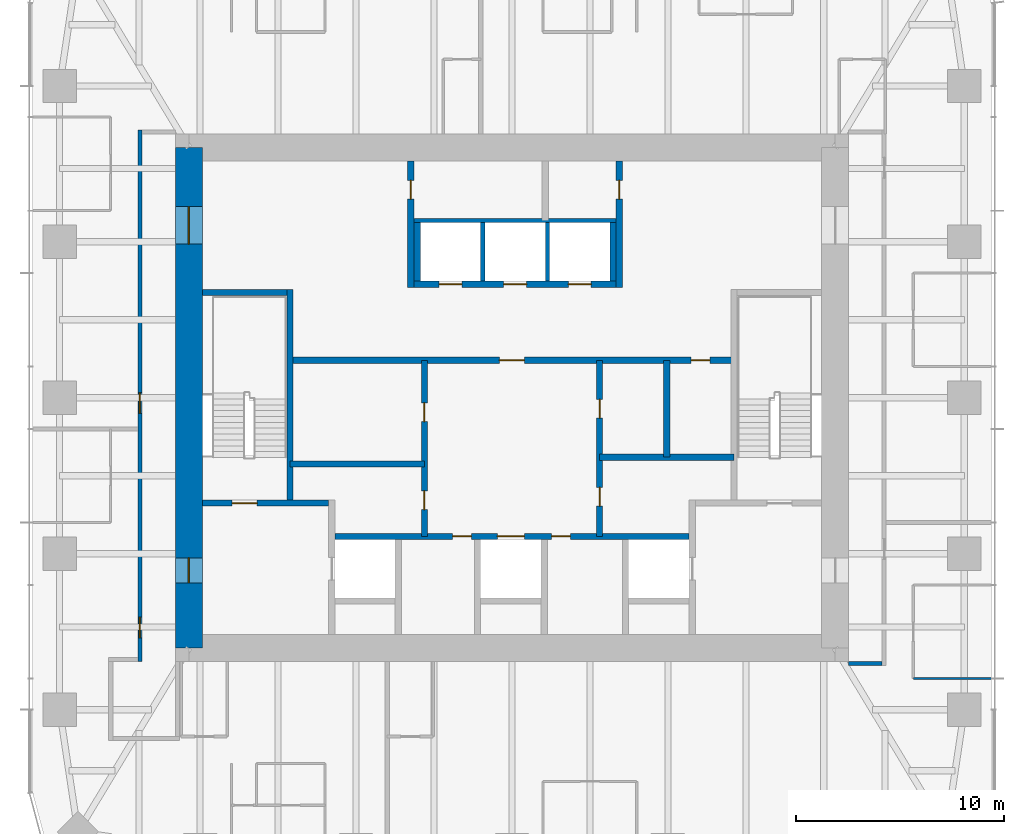
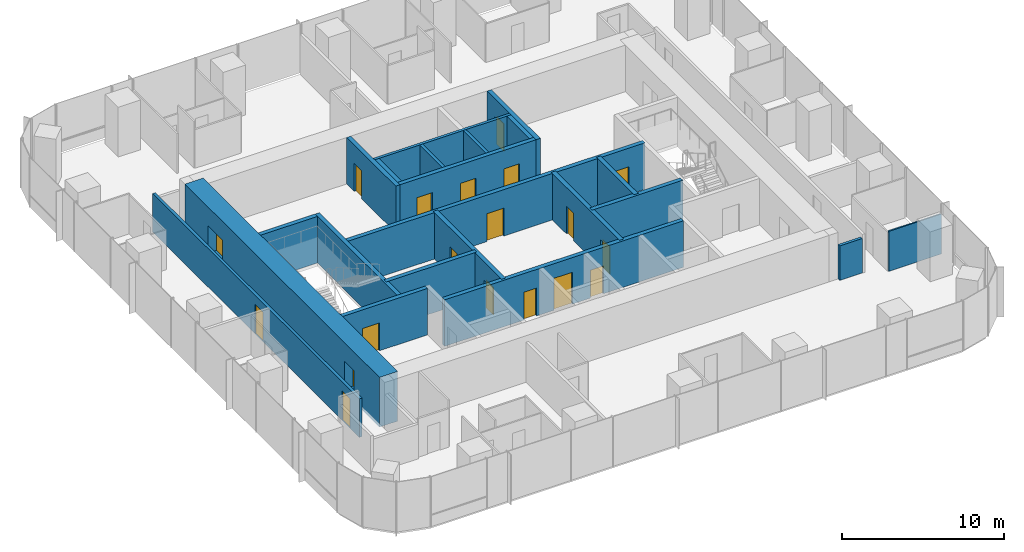
# One storey, part 9 of 12: 22 walls, 19 doors, 19 openings.
"""IFC4 building model written with IfcOpenShell, lengths in metres."""

import ifcopenshell
import ifcopenshell.guid

model = None  # the IFC model being written
_history = None  # IfcOwnerHistory: only IFC2X3 demands one
_inside = {}  # id of a spatial element -> (the spatial element, [elements in it])
_under = {}  # id of a project, library or spatial element -> (it, [spatial elements below it])
_declared = {}  # id of a project -> (the project, [libraries it declares])
_typed = {}  # id of a type object -> (the type object, [elements of that type])
_made_of = {}  # id of a material, layer set ... -> (it, [elements and type objects made of it])


def new_model(schema):
    """Start an empty IFC model of exactly this schema.

    Asked for "IFC4X3", IfcOpenShell would pick the latest addendum, in which some entities
    have other attributes; the version numbers below select the first issue.
    IFC2X3 requires an IfcOwnerHistory on every rooted entity: one is made here for all.
    """
    global model, _history
    if schema == "IFC4X3":
        model = ifcopenshell.file(schema_version=(4, 3, 0, 0))
    else:
        model = ifcopenshell.file(schema=schema)
    _inside.clear()
    _under.clear()
    _declared.clear()
    _typed.clear()
    _made_of.clear()
    _history = None
    if model.schema == "IFC2X3":
        org = make("IfcOrganization", Name="unknown")
        user = make(
            "IfcPersonAndOrganization",
            ThePerson=make("IfcPerson", FamilyName="unknown"),
            TheOrganization=org,
        )
        app = make(
            "IfcApplication",
            ApplicationDeveloper=org,
            Version="unknown",
            ApplicationFullName="unknown",
            ApplicationIdentifier="unknown",
        )
        _history = make(
            "IfcOwnerHistory",
            OwningUser=user,
            OwningApplication=app,
            ChangeAction="ADDED",
            CreationDate=0,
        )
    return model


def make(cls, **values):
    """One entity of the class cls with the attributes given. An attribute that is None is left unset."""
    return model.create_entity(
        cls, **{name: value for name, value in values.items() if value is not None}
    )


def rooted(cls, **values):
    """An entity with a GlobalId (a new one), such as an element, a storey or a relation."""
    return make(cls, GlobalId=ifcopenshell.guid.new(), OwnerHistory=_history, **values)


def si_unit(unit_type, name, prefix=None):
    """IfcSIUnit, for example si_unit("LENGTHUNIT", "METRE", prefix="MILLI")."""
    return make("IfcSIUnit", UnitType=unit_type, Prefix=prefix, Name=name)


def assignment(units):
    """IfcUnitAssignment: the units of a project."""
    return None if units is None else make("IfcUnitAssignment", Units=units)


def point(xyz):
    """IfcCartesianPoint."""
    return None if xyz is None else make("IfcCartesianPoint", Coordinates=xyz)


def direction(xyz):
    """IfcDirection."""
    return None if xyz is None else make("IfcDirection", DirectionRatios=xyz)


def frame(location, z_axis=None, x_axis=None):
    """IfcAxis2Placement3D, a coordinate frame: its origin and axes. An axis left out is left unset."""
    return make(
        "IfcAxis2Placement3D",
        Location=point(location),
        Axis=direction(z_axis),
        RefDirection=direction(x_axis),
    )


def frame_2d(location, x_axis=None):
    """IfcAxis2Placement2D, a coordinate frame in the plane: its origin and x axis."""
    return make(
        "IfcAxis2Placement2D", Location=point(location), RefDirection=direction(x_axis)
    )


def origin():
    """The frame at (0, 0, 0) with its axes left unset."""
    return frame((0.0, 0.0, 0.0))


def place(relative_to, where):
    """IfcLocalPlacement: puts the frame where relative to a parent placement (None: the world)."""
    return make(
        "IfcLocalPlacement", PlacementRelTo=relative_to, RelativePlacement=where
    )


def context(
    kind, dimensions, precision=None, world=None, true_north=None, identifier=None
):
    """IfcGeometricRepresentationContext, for example the 3D "Model" context."""
    return make(
        "IfcGeometricRepresentationContext",
        ContextIdentifier=identifier,
        ContextType=kind,
        CoordinateSpaceDimension=dimensions,
        Precision=precision,
        WorldCoordinateSystem=world,
        TrueNorth=true_north,
    )


def subcontext(parent, identifier, kind, view, scale=None):
    """IfcGeometricRepresentationSubContext, for example "Body" below "Model"."""
    return make(
        "IfcGeometricRepresentationSubContext",
        ContextIdentifier=identifier,
        ContextType=kind,
        ParentContext=parent,
        TargetScale=scale,
        TargetView=view,
    )


def project(units=None, contexts=None):
    """IfcProject with its units and contexts."""
    return rooted(
        "IfcProject",
        Name="project",
        RepresentationContexts=contexts,
        UnitsInContext=assignment(units),
    )


def spatial(cls, under=None, at=None, **own):
    """A site, building, storey or space (cls), placed at a placement, below another one or the project."""
    s = rooted(cls, ObjectPlacement=at, **own)
    if under is not None:
        _under.setdefault(under.id(), (under, []))[1].append(s)
    return s


def profile(cls, at=None, kind="AREA", **sizes):
    """A parametric profile (cls). Its sizes go by their IFC names, for example OverallWidth=200.0."""
    return make(cls, ProfileType=kind, Position=at, **sizes)


def rectangle(**sizes):
    """IfcRectangleProfileDef."""
    return profile("IfcRectangleProfileDef", **sizes)


def extrude(swept, where, along, depth):
    """IfcExtrudedAreaSolid: the profile swept, set in the frame where, extruded along a direction by depth."""
    return make(
        "IfcExtrudedAreaSolid",
        SweptArea=swept,
        Position=where,
        ExtrudedDirection=direction(along),
        Depth=depth,
    )


def shape(context_of_items, identifier, shape_type, items):
    """IfcShapeRepresentation: the items that make up one representation, for example the "Body"."""
    return make(
        "IfcShapeRepresentation",
        ContextOfItems=context_of_items,
        RepresentationIdentifier=identifier,
        RepresentationType=shape_type,
        Items=items,
    )


def material(Name=None, Category=None):
    """IfcMaterial."""
    return make("IfcMaterial", Name=Name, Category=Category)


def layer(
    of_material, thickness, ventilated=None, Name=None, Category=None, Priority=None
):
    """IfcMaterialLayer: one layer of a wall or slab, of a material (None: an air gap)."""
    return make(
        "IfcMaterialLayer",
        Material=of_material,
        LayerThickness=thickness,
        IsVentilated=ventilated,
        Name=Name,
        Category=Category,
        Priority=Priority,
    )


def layer_set(layers, Name=None):
    """IfcMaterialLayerSet."""
    return make("IfcMaterialLayerSet", MaterialLayers=layers, LayerSetName=Name)


def made_of(thing, what):
    """Note that an element or type object is made of a material, layer set ...; save() writes the relation."""
    if what is not None:
        _made_of.setdefault(what.id(), (what, []))[1].append(thing)
    return thing


def type_object(cls, material=None, **own):
    """A type object (cls), such as IfcWallType, which elements share."""
    return made_of(rooted(cls, **own), material)


def element(
    cls,
    number,
    at=None,
    inside=None,
    cuts=None,
    type_object=None,
    material=None,
    context=None,
    identifier="Body",
    shape_type=None,
    held_by="IfcProductDefinitionShape",
    body=None,
    shapes=None,
    **own,
):
    """One element of the class cls, such as IfcWall. Its Tag is "e" and its number.

    at: its placement. inside: the storey or other place that contains it. cuts: it is an
    opening in that element (IfcRelVoidsElement). A single representation is given by context,
    identifier, shape_type and body (its items); several are given by shapes. held_by: the class
    of the entity that holds the representations. save() writes the other relations.
    """
    e = rooted(cls, Tag="e%d" % number, ObjectPlacement=at, **own)
    if body is not None:
        shapes = [shape(context, identifier, shape_type, body)]
    if shapes is not None:
        e.Representation = make(held_by, Representations=shapes)
    if inside is not None:
        _inside.setdefault(inside.id(), (inside, []))[1].append(e)
    if cuts is not None:
        rooted(
            "IfcRelVoidsElement", RelatingBuildingElement=cuts, RelatedOpeningElement=e
        )
    if type_object is not None:
        _typed.setdefault(type_object.id(), (type_object, []))[1].append(e)
    return made_of(e, material)


def fill(opening, filler):
    """IfcRelFillsElement: the door or window that sits in an opening."""
    return rooted(
        "IfcRelFillsElement",
        RelatingOpeningElement=opening,
        RelatedBuildingElement=filler,
    )


def aggregate(whole, parts):
    """IfcRelAggregates: a whole, such as a stair, and the parts it consists of."""
    return rooted("IfcRelAggregates", RelatingObject=whole, RelatedObjects=parts)


def save(model, path):
    """Write the relations noted so far, then the file.

    IfcRelAggregates (storeys below a building ...), IfcRelContainedInSpatialStructure (elements
    in a storey), IfcRelDefinesByType, IfcRelAssociatesMaterial and IfcRelDeclares: one each for
    every whole, place, type object, material and project.
    """
    for whole, parts in _under.values():
        aggregate(whole, parts)
    for where, things in _inside.values():
        rooted(
            "IfcRelContainedInSpatialStructure",
            RelatedElements=things,
            RelatingStructure=where,
        )
    for kind, things in _typed.values():
        rooted("IfcRelDefinesByType", RelatedObjects=things, RelatingType=kind)
    for what, things in _made_of.values():
        rooted("IfcRelAssociatesMaterial", RelatedObjects=things, RelatingMaterial=what)
    for by, libraries in _declared.values():
        rooted("IfcRelDeclares", RelatingContext=by, RelatedDefinitions=libraries)
    model.write(path)


model = new_model("IFC4")

# Units and contexts
model_context = context("Model", 3, precision=1e-05, world=origin(), true_north=direction((0.0, 1.0)))
body_context = subcontext(model_context, "Body", "Model", "MODEL_VIEW")
ifc_project = project(units=[si_unit("LENGTHUNIT", "METRE"), si_unit("AREAUNIT", "SQUARE_METRE"), si_unit("VOLUMEUNIT", "CUBIC_METRE"), si_unit("PLANEANGLEUNIT", "RADIAN"), si_unit("MASSUNIT", "GRAM", prefix="KILO")], contexts=[model_context])

# Site, building, storey
site_placement = place(None, origin())
site = spatial("IfcSite", under=ifc_project, at=site_placement, CompositionType="ELEMENT")
building_placement = place(site_placement, origin())
building = spatial("IfcBuilding", under=site, at=building_placement, Name="Khuree Lantern Residences", CompositionType="ELEMENT")
storey_placement = place(building_placement, frame((0.0, 0.0, 338.25)))
storey = spatial("IfcBuildingStorey", under=building, at=storey_placement, Name="L85", CompositionType="ELEMENT", Elevation=338.25)

# Wall, openings, doors
ifc_material_1 = material(Name="Dense concrete blockwork", Category="masonry")
ifc_layer_1 = layer(ifc_material_1, 0.300048828125)
ifc_layer_set_1 = layer_set([ifc_layer_1], Name="CORE PARTITION WALL CPW300 EI 120")
wall_type_1 = type_object("IfcWallType", Name="CORE PARTITION WALL CPW300 EI 120", PredefinedType="PARTITIONING", material=ifc_layer_set_1)
wall_1_placement = place(storey_placement, frame((-8.5, -6.64990234375, 0.0), z_axis=(0.0, 0.0, 1.0), x_axis=(1.0, 0.0, 0.0)))
wall_1 = element("IfcWall", 1, at=wall_1_placement, inside=storey, type_object=wall_type_1, Name="L85 CORE WALL FLROW", PredefinedType="PARTITIONING", context=body_context, shape_type="SweptSolid", body=[
    extrude(rectangle(XDim=17.0, YDim=0.300048828125, at=frame_2d((8.5, 0.0))), origin(), (0.0, 0.0, 1.0), 3.5),
])
opening_1_placement = place(wall_1_placement, frame((7.800048828125, 0.0, 0.0)))
opening_1 = element("IfcOpeningElement", 2, at=opening_1_placement, cuts=wall_1, Name="Opening 85-012", PredefinedType="OPENING", context=body_context, shape_type="SweptSolid", body=[
    extrude(rectangle(XDim=1.300048828125, YDim=2.39990234375, at=frame_2d((0.64990234375, 1.199951171875))), frame((0.0, 0.16015625, 0.0), z_axis=(0.0, -1.0, 0.0), x_axis=(1.0, 0.0, 0.0)), (0.0, 0.0, 1.0), 0.320068359375),
])
opening_2_placement = place(wall_1_placement, frame((5.64990234375, 0.0, 0.0)))
opening_2 = element("IfcOpeningElement", 3, at=opening_2_placement, cuts=wall_1, Name="Opening 85-014", PredefinedType="OPENING", context=body_context, shape_type="SweptSolid", body=[
    extrude(rectangle(XDim=0.89990234375, YDim=2.10009765625, at=frame_2d((0.449951171875, 1.050048828125))), frame((0.0, 0.16015625, 0.0), z_axis=(0.0, -1.0, 0.0), x_axis=(1.0, 0.0, 0.0)), (0.0, 0.0, 1.0), 0.320068359375),
])
opening_3_placement = place(wall_1_placement, frame((10.39990234375, 0.0, 0.0)))
opening_3 = element("IfcOpeningElement", 4, at=opening_3_placement, cuts=wall_1, Name="Opening 85-015", PredefinedType="OPENING", context=body_context, shape_type="SweptSolid", body=[
    extrude(rectangle(XDim=0.89990234375, YDim=2.10009765625, at=frame_2d((0.449951171875, 1.050048828125))), frame((0.0, 0.16015625, 0.0), z_axis=(0.0, -1.0, 0.0), x_axis=(1.0, 0.0, 0.0)), (0.0, 0.0, 1.0), 0.320068359375),
])
ifc_material_2 = material(Name="Steel door leaf in steel frame", Category="steel")
door_type_1 = type_object("IfcDoorType", Name="DOOR 900X2100 EI 60", OperationType="SINGLE_SWING_LEFT", PredefinedType="DOOR", material=ifc_material_2)
door_1_placement = place(opening_2_placement, origin())
door_1 = element("IfcDoor", 5, at=door_1_placement, inside=storey, type_object=door_type_1, Name="Refuse chute room door 85-014", OperationType="SINGLE_SWING_LEFT", OverallHeight=2.10009765625, OverallWidth=0.89990234375, PredefinedType="DOOR", context=body_context, shape_type="SweptSolid", body=[
    extrude(rectangle(XDim=0.89990234375, YDim=2.10009765625, at=frame_2d((0.449951171875, 1.050048828125))), frame((0.0, 0.02490234375, 0.0), z_axis=(0.0, -1.0, 0.0), x_axis=(1.0, 0.0, 0.0)), (0.0, 0.0, 1.0), 0.050048828125),
])
fill(opening_2, door_1)
door_type_2 = type_object("IfcDoorType", Name="DOOR 900X2100 EI 60 RIGHT HAND", OperationType="SINGLE_SWING_RIGHT", PredefinedType="DOOR", material=ifc_material_2)
door_2_placement = place(opening_3_placement, origin())
door_2 = element("IfcDoor", 6, at=door_2_placement, inside=storey, type_object=door_type_2, Name="Electrical and plumbing riser door 85-015", OperationType="SINGLE_SWING_RIGHT", OverallHeight=2.10009765625, OverallWidth=0.89990234375, PredefinedType="DOOR", context=body_context, shape_type="SweptSolid", body=[
    extrude(rectangle(XDim=0.89990234375, YDim=2.10009765625, at=frame_2d((0.449951171875, 1.050048828125))), frame((0.0, 0.02490234375, 0.0), z_axis=(0.0, -1.0, 0.0), x_axis=(1.0, 0.0, 0.0)), (0.0, 0.0, 1.0), 0.050048828125),
])
fill(opening_3, door_2)
ifc_material_3 = material(Name="Stainless steel lift landing door", Category="steel")
door_type_3 = type_object("IfcDoorType", Name="LIFT LANDING DOOR 1300X2400 E 60", OperationType="DOUBLE_DOOR_SLIDING", PredefinedType="DOOR", material=ifc_material_3)
door_3_placement = place(opening_1_placement, origin())
door_3 = element("IfcDoor", 7, at=door_3_placement, inside=storey, type_object=door_type_3, Name="Landing door SL1 85-012", OperationType="DOUBLE_DOOR_SLIDING", OverallHeight=2.39990234375, OverallWidth=1.300048828125, PredefinedType="DOOR", context=body_context, shape_type="SweptSolid", body=[
    extrude(rectangle(XDim=1.300048828125, YDim=2.39990234375, at=frame_2d((0.64990234375, 1.199951171875))), frame((0.0, 0.02490234375, 0.0), z_axis=(0.0, -1.0, 0.0), x_axis=(1.0, 0.0, 0.0)), (0.0, 0.0, 1.0), 0.050048828125),
])
fill(opening_1, door_3)

wall_2_placement = place(storey_placement, frame((-4.699951171875, 5.449951171875, 0.0), z_axis=(0.0, 0.0, 1.0), x_axis=(1.0, 0.0, 0.0)))
wall_2 = element("IfcWall", 8, at=wall_2_placement, inside=storey, type_object=wall_type_1, Name="L85 CORE WALL PHS", PredefinedType="PARTITIONING", context=body_context, shape_type="SweptSolid", body=[
    extrude(rectangle(XDim=9.699951171875, YDim=0.300048828125, at=frame_2d((4.85009765625, 0.0))), origin(), (0.0, 0.0, 1.0), 3.5),
])
opening_4_placement = place(wall_2_placement, frame((1.199951171875, 0.0, 0.0)))
opening_4 = element("IfcOpeningElement", 9, at=opening_4_placement, cuts=wall_2, Name="Opening 85-009", PredefinedType="OPENING", context=body_context, shape_type="SweptSolid", body=[
    extrude(rectangle(XDim=1.10009765625, YDim=2.10009765625, at=frame_2d((0.550048828125, 1.050048828125))), frame((0.0, 0.16015625, 0.0), z_axis=(0.0, -1.0, 0.0), x_axis=(1.0, 0.0, 0.0)), (0.0, 0.0, 1.0), 0.320068359375),
])
opening_5_placement = place(wall_2_placement, frame((4.300048828125, 0.0, 0.0)))
opening_5 = element("IfcOpeningElement", 10, at=opening_5_placement, cuts=wall_2, Name="Opening 85-010", PredefinedType="OPENING", context=body_context, shape_type="SweptSolid", body=[
    extrude(rectangle(XDim=1.10009765625, YDim=2.10009765625, at=frame_2d((0.550048828125, 1.050048828125))), frame((0.0, 0.16015625, 0.0), z_axis=(0.0, -1.0, 0.0), x_axis=(1.0, 0.0, 0.0)), (0.0, 0.0, 1.0), 0.320068359375),
])
opening_6_placement = place(wall_2_placement, frame((7.39990234375, 0.0, 0.0)))
opening_6 = element("IfcOpeningElement", 11, at=opening_6_placement, cuts=wall_2, Name="Opening 85-011", PredefinedType="OPENING", context=body_context, shape_type="SweptSolid", body=[
    extrude(rectangle(XDim=1.10009765625, YDim=2.10009765625, at=frame_2d((0.550048828125, 1.050048828125))), frame((0.0, 0.16015625, 0.0), z_axis=(0.0, -1.0, 0.0), x_axis=(1.0, 0.0, 0.0)), (0.0, 0.0, 1.0), 0.320068359375),
])
door_type_4 = type_object("IfcDoorType", Name="LIFT LANDING DOOR 1100X2100 E 60", OperationType="DOUBLE_DOOR_SLIDING", PredefinedType="DOOR", material=ifc_material_3)
door_4_placement = place(opening_4_placement, origin())
door_4 = element("IfcDoor", 12, at=door_4_placement, inside=storey, type_object=door_type_4, Name="Landing door PH1 85-009", OperationType="DOUBLE_DOOR_SLIDING", OverallHeight=2.10009765625, OverallWidth=1.10009765625, PredefinedType="DOOR", context=body_context, shape_type="SweptSolid", body=[
    extrude(rectangle(XDim=1.10009765625, YDim=2.10009765625, at=frame_2d((0.550048828125, 1.050048828125))), frame((0.0, 0.02490234375, 0.0), z_axis=(0.0, -1.0, 0.0), x_axis=(1.0, 0.0, 0.0)), (0.0, 0.0, 1.0), 0.050048828125),
])
fill(opening_4, door_4)
door_5_placement = place(opening_5_placement, origin())
door_5 = element("IfcDoor", 13, at=door_5_placement, inside=storey, type_object=door_type_4, Name="Landing door PH2 85-010", OperationType="DOUBLE_DOOR_SLIDING", OverallHeight=2.10009765625, OverallWidth=1.10009765625, PredefinedType="DOOR", context=body_context, shape_type="SweptSolid", body=[
    extrude(rectangle(XDim=1.10009765625, YDim=2.10009765625, at=frame_2d((0.550048828125, 1.050048828125))), frame((0.0, 0.02490234375, 0.0), z_axis=(0.0, -1.0, 0.0), x_axis=(1.0, 0.0, 0.0)), (0.0, 0.0, 1.0), 0.050048828125),
])
fill(opening_5, door_5)
door_6_placement = place(opening_6_placement, origin())
door_6 = element("IfcDoor", 14, at=door_6_placement, inside=storey, type_object=door_type_4, Name="Landing door PH3 85-011", OperationType="DOUBLE_DOOR_SLIDING", OverallHeight=2.10009765625, OverallWidth=1.10009765625, PredefinedType="DOOR", context=body_context, shape_type="SweptSolid", body=[
    extrude(rectangle(XDim=1.10009765625, YDim=2.10009765625, at=frame_2d((0.550048828125, 1.050048828125))), frame((0.0, 0.02490234375, 0.0), z_axis=(0.0, -1.0, 0.0), x_axis=(1.0, 0.0, 0.0)), (0.0, 0.0, 1.0), 0.050048828125),
])
fill(opening_6, door_6)

# Walls
for number, where, z_axis, x_axis, name in (
    (15, (-4.550048828125, 5.60009765625, 0.0), (0.0, 0.0, 1.0), (0.0, 1.0, 0.0), "L85 CORE WALL PHW"),
    (16, (4.85009765625, 5.60009765625, 0.0), (0.0, 0.0, 1.0), (0.0, 1.0, 0.0), "L85 CORE WALL PHE"),
):
    element("IfcWall", number, at=place(storey_placement, frame(where, z_axis=z_axis, x_axis=x_axis)), inside=storey, type_object=wall_type_1, Name=name, PredefinedType="PARTITIONING", context=body_context, shape_type="SweptSolid", body=[
        extrude(rectangle(XDim=2.7998046875, YDim=0.300048828125, at=frame_2d((1.39990234375, 0.0))), origin(), (0.0, 0.0, 1.0), 3.5),
    ])

# Wall, openings, doors
wall_3_placement = place(storey_placement, frame((-10.64990234375, 1.800048828125, 0.0), z_axis=(0.0, 0.0, 1.0), x_axis=(1.0, 0.0, 0.0)))
wall_3 = element("IfcWall", 17, at=wall_3_placement, inside=storey, type_object=wall_type_1, Name="L85 CORE WALL LLS", PredefinedType="PARTITIONING", context=body_context, shape_type="SweptSolid", body=[
    extrude(rectangle(XDim=21.2998046875, YDim=0.300048828125, at=frame_2d((10.64990234375, 0.0))), origin(), (0.0, 0.0, 1.0), 3.5),
])
opening_7_placement = place(wall_3_placement, frame((10.050048828125, 0.0, 0.0)))
opening_7 = element("IfcOpeningElement", 18, at=opening_7_placement, cuts=wall_3, Name="Opening 85-013", PredefinedType="OPENING", context=body_context, shape_type="SweptSolid", body=[
    extrude(rectangle(XDim=1.199951171875, YDim=2.10009765625, at=frame_2d((0.60009765625, 1.050048828125))), frame((0.0, 0.16015625, 0.0), z_axis=(0.0, -1.0, 0.0), x_axis=(1.0, 0.0, 0.0)), (0.0, 0.0, 1.0), 0.320068359375),
])
opening_8_placement = place(wall_3_placement, frame((19.238037109375, 0.0, 0.0)))
opening_8 = element("IfcOpeningElement", 19, at=opening_8_placement, cuts=wall_3, Name="Opening 85-020", PredefinedType="OPENING", context=body_context, shape_type="SweptSolid", body=[
    extrude(rectangle(XDim=0.89990234375, YDim=2.10009765625, at=frame_2d((0.449951171875, 1.050048828125))), frame((0.0, 0.16015625, 0.0), z_axis=(0.0, -1.0, 0.0), x_axis=(1.0, 0.0, 0.0)), (0.0, 0.0, 1.0), 0.320068359375),
])
door_type_5 = type_object("IfcDoorType", Name="DOOR 1200X2100 EI 60", OperationType="SINGLE_SWING_LEFT", PredefinedType="DOOR", material=ifc_material_2)
door_7_placement = place(opening_7_placement, origin())
door_7 = element("IfcDoor", 20, at=door_7_placement, inside=storey, type_object=door_type_5, Name="Service lift lobby door 85-013", OperationType="SINGLE_SWING_LEFT", OverallHeight=2.10009765625, OverallWidth=1.199951171875, PredefinedType="DOOR", context=body_context, shape_type="SweptSolid", body=[
    extrude(rectangle(XDim=1.199951171875, YDim=2.10009765625, at=frame_2d((0.60009765625, 1.050048828125))), frame((0.0, 0.02490234375, 0.0), z_axis=(0.0, -1.0, 0.0), x_axis=(1.0, 0.0, 0.0)), (0.0, 0.0, 1.0), 0.050048828125),
])
fill(opening_7, door_7)
ifc_material_4 = material(Name="Timber door leaf in hardwood frame", Category="wood")
door_type_6 = type_object("IfcDoorType", Name="DOOR 900X2100 RIGHT HAND", OperationType="SINGLE_SWING_RIGHT", PredefinedType="DOOR", material=ifc_material_4)
door_8_placement = place(opening_8_placement, origin())
door_8 = element("IfcDoor", 21, at=door_8_placement, inside=storey, type_object=door_type_6, Name="Refuse holding room door 85-020", OperationType="SINGLE_SWING_RIGHT", OverallHeight=2.10009765625, OverallWidth=0.89990234375, PredefinedType="DOOR", context=body_context, shape_type="SweptSolid", body=[
    extrude(rectangle(XDim=0.89990234375, YDim=2.10009765625, at=frame_2d((0.449951171875, 1.050048828125))), frame((0.0, 0.02490234375, 0.0), z_axis=(0.0, -1.0, 0.0), x_axis=(1.0, 0.0, 0.0)), (0.0, 0.0, 1.0), 0.050048828125),
])
fill(opening_8, door_8)

wall_4_placement = place(storey_placement, frame((-4.199951171875, -6.64990234375, 0.0), z_axis=(0.0, 0.0, 1.0), x_axis=(0.0, 1.0, 0.0)))
wall_4 = element("IfcWall", 22, at=wall_4_placement, inside=storey, type_object=wall_type_1, Name="L85 CORE WALL SVW", PredefinedType="PARTITIONING", context=body_context, shape_type="SweptSolid", body=[
    extrude(rectangle(XDim=8.449951171875, YDim=0.300048828125, at=frame_2d((4.22509765625, 0.0))), origin(), (0.0, 0.0, 1.0), 3.5),
])
opening_9_placement = place(wall_4_placement, frame((1.284912109375, 0.0, 0.0)))
opening_9 = element("IfcOpeningElement", 23, at=opening_9_placement, cuts=wall_4, Name="Opening 85-016", PredefinedType="OPENING", context=body_context, shape_type="SweptSolid", body=[
    extrude(rectangle(XDim=0.89990234375, YDim=2.10009765625, at=frame_2d((0.449951171875, 1.050048828125))), frame((0.0, 0.16015625, 0.0), z_axis=(0.0, -1.0, 0.0), x_axis=(1.0, 0.0, 0.0)), (0.0, 0.0, 1.0), 0.320068359375),
])
opening_10_placement = place(wall_4_placement, frame((5.510009765625, 0.0, 0.0)))
opening_10 = element("IfcOpeningElement", 24, at=opening_10_placement, cuts=wall_4, Name="Opening 85-017", PredefinedType="OPENING", context=body_context, shape_type="SweptSolid", body=[
    extrude(rectangle(XDim=0.89990234375, YDim=2.10009765625, at=frame_2d((0.449951171875, 1.050048828125))), frame((0.0, 0.16015625, 0.0), z_axis=(0.0, -1.0, 0.0), x_axis=(1.0, 0.0, 0.0)), (0.0, 0.0, 1.0), 0.320068359375),
])
door_type_7 = type_object("IfcDoorType", Name="DOOR 900X2100", OperationType="SINGLE_SWING_LEFT", PredefinedType="DOOR", material=ifc_material_4)
door_9_placement = place(opening_9_placement, origin())
door_9 = element("IfcDoor", 25, at=door_9_placement, inside=storey, type_object=door_type_7, Name="Bulky waste store door 85-016", OperationType="SINGLE_SWING_LEFT", OverallHeight=2.10009765625, OverallWidth=0.89990234375, PredefinedType="DOOR", context=body_context, shape_type="SweptSolid", body=[
    extrude(rectangle(XDim=0.89990234375, YDim=2.10009765625, at=frame_2d((0.449951171875, 1.050048828125))), frame((0.0, 0.02490234375, 0.0), z_axis=(0.0, -1.0, 0.0), x_axis=(1.0, 0.0, 0.0)), (0.0, 0.0, 1.0), 0.050048828125),
])
fill(opening_9, door_9)
door_10_placement = place(opening_10_placement, origin())
door_10 = element("IfcDoor", 26, at=door_10_placement, inside=storey, type_object=door_type_7, Name="Residents' store door 85-017", OperationType="SINGLE_SWING_LEFT", OverallHeight=2.10009765625, OverallWidth=0.89990234375, PredefinedType="DOOR", context=body_context, shape_type="SweptSolid", body=[
    extrude(rectangle(XDim=0.89990234375, YDim=2.10009765625, at=frame_2d((0.449951171875, 1.050048828125))), frame((0.0, 0.02490234375, 0.0), z_axis=(0.0, -1.0, 0.0), x_axis=(1.0, 0.0, 0.0)), (0.0, 0.0, 1.0), 0.050048828125),
])
fill(opening_10, door_10)

wall_5_placement = place(storey_placement, frame((4.199951171875, -6.64990234375, 0.0), z_axis=(0.0, 0.0, 1.0), x_axis=(0.0, 1.0, 0.0)))
wall_5 = element("IfcWall", 27, at=wall_5_placement, inside=storey, type_object=wall_type_1, Name="L85 CORE WALL SVE", PredefinedType="PARTITIONING", context=body_context, shape_type="SweptSolid", body=[
    extrude(rectangle(XDim=8.449951171875, YDim=0.300048828125, at=frame_2d((4.22509765625, 0.0))), origin(), (0.0, 0.0, 1.0), 3.5),
])
opening_11_placement = place(wall_5_placement, frame((1.450927734375, 0.0, 0.0)))
opening_11 = element("IfcOpeningElement", 28, at=opening_11_placement, cuts=wall_5, Name="Opening 85-018", PredefinedType="OPENING", context=body_context, shape_type="SweptSolid", body=[
    extrude(rectangle(XDim=0.89990234375, YDim=2.10009765625, at=frame_2d((0.449951171875, 1.050048828125))), frame((0.0, 0.16015625, 0.0), z_axis=(0.0, -1.0, 0.0), x_axis=(1.0, 0.0, 0.0)), (0.0, 0.0, 1.0), 0.320068359375),
])
opening_12_placement = place(wall_5_placement, frame((5.676025390625, 0.0, 0.0)))
opening_12 = element("IfcOpeningElement", 29, at=opening_12_placement, cuts=wall_5, Name="Opening 85-019", PredefinedType="OPENING", context=body_context, shape_type="SweptSolid", body=[
    extrude(rectangle(XDim=0.89990234375, YDim=2.10009765625, at=frame_2d((0.449951171875, 1.050048828125))), frame((0.0, 0.16015625, 0.0), z_axis=(0.0, -1.0, 0.0), x_axis=(1.0, 0.0, 0.0)), (0.0, 0.0, 1.0), 0.320068359375),
])
door_11_placement = place(opening_11_placement, origin())
door_11 = element("IfcDoor", 30, at=door_11_placement, inside=storey, type_object=door_type_7, Name="Bulky waste store door 85-018", OperationType="SINGLE_SWING_LEFT", OverallHeight=2.10009765625, OverallWidth=0.89990234375, PredefinedType="DOOR", context=body_context, shape_type="SweptSolid", body=[
    extrude(rectangle(XDim=0.89990234375, YDim=2.10009765625, at=frame_2d((0.449951171875, 1.050048828125))), frame((0.0, 0.02490234375, 0.0), z_axis=(0.0, -1.0, 0.0), x_axis=(1.0, 0.0, 0.0)), (0.0, 0.0, 1.0), 0.050048828125),
])
fill(opening_11, door_11)
door_12_placement = place(opening_12_placement, origin())
door_12 = element("IfcDoor", 31, at=door_12_placement, inside=storey, type_object=door_type_6, Name="Building management room door 85-019", OperationType="SINGLE_SWING_RIGHT", OverallHeight=2.10009765625, OverallWidth=0.89990234375, PredefinedType="DOOR", context=body_context, shape_type="SweptSolid", body=[
    extrude(rectangle(XDim=0.89990234375, YDim=2.10009765625, at=frame_2d((0.449951171875, 1.050048828125))), frame((0.0, 0.02490234375, 0.0), z_axis=(0.0, -1.0, 0.0), x_axis=(1.0, 0.0, 0.0)), (0.0, 0.0, 1.0), 0.050048828125),
])
fill(opening_12, door_12)

# Walls
for number, where, z_axis, x_axis, name in (
    (32, (-10.64990234375, -3.179931640625, 0.0), (0.0, 0.0, 1.0), (1.0, 0.0, 0.0), "L85 CORE WALL WX"),
    (33, (10.64990234375, -2.847900390625, 0.0), (0.0, 0.0, 1.0), (-1.0, 0.0, 0.0), "L85 CORE WALL EX"),
):
    element("IfcWall", number, at=place(storey_placement, frame(where, z_axis=z_axis, x_axis=x_axis)), inside=storey, type_object=wall_type_1, Name=name, PredefinedType="PARTITIONING", context=body_context, shape_type="SweptSolid", body=[
        extrude(rectangle(XDim=6.449951171875, YDim=0.300048828125, at=frame_2d((3.22509765625, 0.0))), origin(), (0.0, 0.0, 1.0), 3.5),
    ])
wall_6_placement = place(storey_placement, frame((7.425048828125, -2.847900390625, 0.0), z_axis=(0.0, 0.0, 1.0), x_axis=(0.0, 1.0, 0.0)))
element("IfcWall", 34, at=wall_6_placement, inside=storey, type_object=wall_type_1, Name="L85 CORE WALL EV", PredefinedType="PARTITIONING", context=body_context, shape_type="SweptSolid", body=[
    extrude(rectangle(XDim=4.64794921875, YDim=0.300048828125, at=frame_2d((2.323974609375, 0.0))), origin(), (0.0, 0.0, 1.0), 3.5),
])

# Wall, opening, door
wall_7_placement = place(storey_placement, frame((-4.85009765625, 5.300048828125, 0.0), z_axis=(0.0, 0.0, 1.0), x_axis=(0.0, 1.0, 0.0)))
wall_7 = element("IfcWall", 35, at=wall_7_placement, inside=storey, type_object=wall_type_1, Name="L85 CORE WALL NW", PredefinedType="PARTITIONING", context=body_context, shape_type="SweptSolid", body=[
    extrude(rectangle(XDim=6.050048828125, YDim=0.300048828125, at=frame_2d((3.02490234375, 0.0))), origin(), (0.0, 0.0, 1.0), 3.5),
])
opening_13_placement = place(wall_7_placement, frame((4.22509765625, 0.0, 0.0)))
opening_13 = element("IfcOpeningElement", 36, at=opening_13_placement, cuts=wall_7, Name="Opening 85-021", PredefinedType="OPENING", context=body_context, shape_type="SweptSolid", body=[
    extrude(rectangle(XDim=0.89990234375, YDim=2.10009765625, at=frame_2d((0.449951171875, 1.050048828125))), frame((0.0, 0.16015625, 0.0), z_axis=(0.0, -1.0, 0.0), x_axis=(1.0, 0.0, 0.0)), (0.0, 0.0, 1.0), 0.320068359375),
])
door_13_placement = place(opening_13_placement, origin())
door_13 = element("IfcDoor", 37, at=door_13_placement, inside=storey, type_object=door_type_6, Name="Parcel room door 85-021", OperationType="SINGLE_SWING_RIGHT", OverallHeight=2.10009765625, OverallWidth=0.89990234375, PredefinedType="DOOR", context=body_context, shape_type="SweptSolid", body=[
    extrude(rectangle(XDim=0.89990234375, YDim=2.10009765625, at=frame_2d((0.449951171875, 1.050048828125))), frame((0.0, 0.02490234375, 0.0), z_axis=(0.0, -1.0, 0.0), x_axis=(1.0, 0.0, 0.0)), (0.0, 0.0, 1.0), 0.050048828125),
])
fill(opening_13, door_13)

wall_8_placement = place(storey_placement, frame((5.14990234375, 5.300048828125, 0.0), z_axis=(0.0, 0.0, 1.0), x_axis=(0.0, 1.0, 0.0)))
wall_8 = element("IfcWall", 38, at=wall_8_placement, inside=storey, type_object=wall_type_1, Name="L85 CORE WALL NE", PredefinedType="PARTITIONING", context=body_context, shape_type="SweptSolid", body=[
    extrude(rectangle(XDim=6.050048828125, YDim=0.300048828125, at=frame_2d((3.02490234375, 0.0))), origin(), (0.0, 0.0, 1.0), 3.5),
])
opening_14_placement = place(wall_8_placement, frame((4.22509765625, 0.0, 0.0)))
opening_14 = element("IfcOpeningElement", 39, at=opening_14_placement, cuts=wall_8, Name="Opening 85-022", PredefinedType="OPENING", context=body_context, shape_type="SweptSolid", body=[
    extrude(rectangle(XDim=0.89990234375, YDim=2.10009765625, at=frame_2d((0.449951171875, 1.050048828125))), frame((0.0, 0.16015625, 0.0), z_axis=(0.0, -1.0, 0.0), x_axis=(1.0, 0.0, 0.0)), (0.0, 0.0, 1.0), 0.320068359375),
])
door_14_placement = place(opening_14_placement, origin())
door_14 = element("IfcDoor", 40, at=door_14_placement, inside=storey, type_object=door_type_7, Name="Housekeeping store door 85-022", OperationType="SINGLE_SWING_LEFT", OverallHeight=2.10009765625, OverallWidth=0.89990234375, PredefinedType="DOOR", context=body_context, shape_type="SweptSolid", body=[
    extrude(rectangle(XDim=0.89990234375, YDim=2.10009765625, at=frame_2d((0.449951171875, 1.050048828125))), frame((0.0, 0.02490234375, 0.0), z_axis=(0.0, -1.0, 0.0), x_axis=(1.0, 0.0, 0.0)), (0.0, 0.0, 1.0), 0.050048828125),
])
fill(opening_14, door_14)

# Wall
ifc_material_5 = material(Name="Gypsum board on steel studs", Category="steel")
ifc_layer_2 = layer(ifc_material_5, 0.199951171875)
ifc_layer_set_2 = layer_set([ifc_layer_2], Name="CORRIDOR WALL CRW200 EI 60")
wall_type_2 = type_object("IfcWallType", Name="CORRIDOR WALL CRW200 EI 60", PredefinedType="PARTITIONING", material=ifc_layer_set_2)
wall_9_placement = place(storey_placement, frame((16.14990234375, -12.75, 0.0), z_axis=(0.0, 0.0, 1.0), x_axis=(1.0, 0.0, 0.0)))
element("IfcWall", 41, at=wall_9_placement, inside=storey, type_object=wall_type_2, Name="L85 EAST CORRIDOR SOUTH END WALL", PredefinedType="PARTITIONING", context=body_context, shape_type="SweptSolid", body=[
    extrude(rectangle(XDim=1.60009765625, YDim=0.199951171875, at=frame_2d((0.800048828125, 0.0))), origin(), (0.0, 0.0, 1.0), 2.60009765625),
])

# Wall, openings, doors
wall_10_placement = place(storey_placement, frame((-17.85009765625, 12.85009765625, 0.0), z_axis=(0.0, 0.0, 1.0), x_axis=(0.0, -1.0, 0.0)))
wall_10 = element("IfcWall", 42, at=wall_10_placement, inside=storey, type_object=wall_type_2, Name="L85 CORRIDOR WALL WEST 1", PredefinedType="PARTITIONING", context=body_context, shape_type="SweptSolid", body=[
    extrude(rectangle(XDim=25.5, YDim=0.199951171875, at=frame_2d((12.75, 0.0))), origin(), (0.0, 0.0, 1.0), 2.89990234375),
])
opening_15_placement = place(wall_10_placement, frame((12.60009765625, 0.0, 0.0)))
opening_15 = element("IfcOpeningElement", 43, at=opening_15_placement, cuts=wall_10, Name="Opening 85-033", PredefinedType="OPENING", context=body_context, shape_type="SweptSolid", body=[
    extrude(rectangle(XDim=1.0, YDim=2.199951171875, at=frame_2d((0.5, 1.10009765625))), frame((0.0, 0.10986328125, 0.0), z_axis=(0.0, -1.0, 0.0), x_axis=(1.0, 0.0, 0.0)), (0.0, 0.0, 1.0), 0.219970703125),
])
opening_16_placement = place(wall_10_placement, frame((23.365966796875, 0.0, 0.0)))
opening_16 = element("IfcOpeningElement", 44, at=opening_16_placement, cuts=wall_10, Name="Opening 85-038", PredefinedType="OPENING", context=body_context, shape_type="SweptSolid", body=[
    extrude(rectangle(XDim=1.0, YDim=2.199951171875, at=frame_2d((0.5, 1.10009765625))), frame((0.0, 0.10986328125, 0.0), z_axis=(0.0, -1.0, 0.0), x_axis=(1.0, 0.0, 0.0)), (0.0, 0.0, 1.0), 0.219970703125),
])
door_type_8 = type_object("IfcDoorType", Name="APARTMENT ENTRANCE DOOR 1000X2200 EI 30S", OperationType="SINGLE_SWING_LEFT", PredefinedType="DOOR", material=ifc_material_4)
door_15_placement = place(opening_15_placement, origin())
door_15 = element("IfcDoor", 45, at=door_15_placement, inside=storey, type_object=door_type_8, Name="Apartment 02 entrance door 85-033", OperationType="SINGLE_SWING_LEFT", OverallHeight=2.199951171875, OverallWidth=1.0, PredefinedType="DOOR", context=body_context, shape_type="SweptSolid", body=[
    extrude(rectangle(XDim=1.0, YDim=2.199951171875, at=frame_2d((0.5, 1.10009765625))), frame((0.0, 0.02490234375, 0.0), z_axis=(0.0, -1.0, 0.0), x_axis=(1.0, 0.0, 0.0)), (0.0, 0.0, 1.0), 0.050048828125),
])
fill(opening_15, door_15)
door_16_placement = place(opening_16_placement, origin())
door_16 = element("IfcDoor", 46, at=door_16_placement, inside=storey, type_object=door_type_8, Name="Apartment 03 entrance door 85-038", OperationType="SINGLE_SWING_LEFT", OverallHeight=2.199951171875, OverallWidth=1.0, PredefinedType="DOOR", context=body_context, shape_type="SweptSolid", body=[
    extrude(rectangle(XDim=1.0, YDim=2.199951171875, at=frame_2d((0.5, 1.10009765625))), frame((0.0, 0.02490234375, 0.0), z_axis=(0.0, -1.0, 0.0), x_axis=(1.0, 0.0, 0.0)), (0.0, 0.0, 1.0), 0.050048828125),
])
fill(opening_16, door_16)

ifc_material_6 = material(Name="Concrete C50/60", Category="concrete")
ifc_layer_3 = layer(ifc_material_6, 1.300048828125)
ifc_layer_set_3 = layer_set([ifc_layer_3], Name="CW1300-C50 CORE WALL C50 1300")
wall_type_3 = type_object("IfcWallType", Name="CW1300-C50 CORE WALL C50 1300", PredefinedType="SHEAR", material=ifc_layer_set_3)
wall_11_placement = place(storey_placement, frame((-15.5, -12.0, -0.25), z_axis=(0.0, 0.0, 1.0), x_axis=(0.0, 1.0, 0.0)))
wall_11 = element("IfcWall", 47, at=wall_11_placement, inside=storey, type_object=wall_type_3, Name="Core wall W", PredefinedType="SHEAR", context=body_context, shape_type="SweptSolid", body=[
    extrude(rectangle(XDim=24.0, YDim=1.300048828125, at=frame_2d((12.0, 0.0))), origin(), (0.0, 0.0, 1.0), 3.75),
])
opening_17_placement = place(wall_11_placement, frame((3.125, 0.0, 0.25)))
opening_17 = element("IfcOpeningElement", 48, at=opening_17_placement, cuts=wall_11, Name="Opening 85-002", PredefinedType="OPENING", context=body_context, shape_type="SweptSolid", body=[
    extrude(rectangle(XDim=1.199951171875, YDim=2.10009765625, at=frame_2d((0.60009765625, 1.050048828125))), frame((0.0, 0.66015625, 0.0), z_axis=(0.0, -1.0, 0.0), x_axis=(1.0, 0.0, 0.0)), (0.0, 0.0, 1.0), 1.320068359375),
])
opening_18_placement = place(wall_11_placement, frame((19.375, 0.0, 0.25)))
opening_18 = element("IfcOpeningElement", 49, at=opening_18_placement, cuts=wall_11, Name="Opening 85-003", PredefinedType="OPENING", context=body_context, shape_type="SweptSolid", body=[
    extrude(rectangle(XDim=1.800048828125, YDim=2.10009765625, at=frame_2d((0.89990234375, 1.050048828125))), frame((0.0, 0.66015625, 0.0), z_axis=(0.0, -1.0, 0.0), x_axis=(1.0, 0.0, 0.0)), (0.0, 0.0, 1.0), 1.320068359375),
])
door_type_9 = type_object("IfcDoorType", Name="LOBBY DOOR 1200X2100 EI 120", OperationType="SINGLE_SWING_LEFT", PredefinedType="DOOR", material=ifc_material_2)
door_17_placement = place(opening_17_placement, origin())
door_17 = element("IfcDoor", 50, at=door_17_placement, inside=storey, type_object=door_type_9, Name="Firefighting lobby door 85-002", OperationType="SINGLE_SWING_LEFT", OverallHeight=2.10009765625, OverallWidth=1.199951171875, PredefinedType="DOOR", context=body_context, shape_type="SweptSolid", body=[
    extrude(rectangle(XDim=1.199951171875, YDim=2.10009765625, at=frame_2d((0.60009765625, 1.050048828125))), frame((0.0, 0.02490234375, 0.0), z_axis=(0.0, -1.0, 0.0), x_axis=(1.0, 0.0, 0.0)), (0.0, 0.0, 1.0), 0.050048828125),
])
fill(opening_17, door_17)
door_type_10 = type_object("IfcDoorType", Name="LOBBY DOUBLE DOOR 1800X2100 EI 60", OperationType="DOUBLE_DOOR_SINGLE_SWING", PredefinedType="DOOR", material=ifc_material_2)
door_18_placement = place(opening_18_placement, origin())
door_18 = element("IfcDoor", 51, at=door_18_placement, inside=storey, type_object=door_type_10, Name="Lift lobby door 85-003", OperationType="DOUBLE_DOOR_SINGLE_SWING", OverallHeight=2.10009765625, OverallWidth=1.800048828125, PredefinedType="DOOR", context=body_context, shape_type="SweptSolid", body=[
    extrude(rectangle(XDim=1.800048828125, YDim=2.10009765625, at=frame_2d((0.89990234375, 1.050048828125))), frame((0.0, 0.02490234375, 0.0), z_axis=(0.0, -1.0, 0.0), x_axis=(1.0, 0.0, 0.0)), (0.0, 0.0, 1.0), 0.050048828125),
])
fill(opening_18, door_18)

# Walls
ifc_layer_4 = layer(ifc_material_5, 0.10009765625)
ifc_layer_set_4 = layer_set([ifc_layer_4], Name="PARTITION PT100")
wall_type_4 = type_object("IfcWallType", Name="PARTITION PT100", PredefinedType="PARTITIONING", material=ifc_layer_set_4)
wall_12_placement = place(storey_placement, frame((19.25, -13.464111328125, 0.0), z_axis=(0.0, 0.0, 1.0), x_axis=(1.0, 0.0, 0.0)))
element("IfcWall", 52, at=wall_12_placement, inside=storey, type_object=wall_type_4, Name="L85 PARTITION 04", PredefinedType="PARTITIONING", context=body_context, shape_type="SweptSolid", body=[
    extrude(rectangle(XDim=3.75, YDim=0.10009765625, at=frame_2d((1.875, 0.0))), origin(), (0.0, 0.0, 1.0), 3.010009765625),
])
ifc_layer_5 = layer(ifc_material_1, 0.199951171875)
ifc_layer_set_5 = layer_set([ifc_layer_5], Name="SHAFT WALL SHW200 EI 120")
wall_type_5 = type_object("IfcWallType", Name="SHAFT WALL SHW200 EI 120", PredefinedType="PARTITIONING", material=ifc_layer_set_5)
wall_13_placement = place(storey_placement, frame((-4.699951171875, 8.5, 0.0), z_axis=(0.0, 0.0, 1.0), x_axis=(1.0, 0.0, 0.0)))
element("IfcWall", 53, at=wall_13_placement, inside=storey, type_object=wall_type_5, Name="L85 CORE WALL PHN", PredefinedType="PARTITIONING", context=body_context, shape_type="SweptSolid", body=[
    extrude(rectangle(XDim=9.699951171875, YDim=0.199951171875, at=frame_2d((4.85009765625, 0.0))), origin(), (0.0, 0.0, 1.0), 3.5),
])
for number, where, z_axis, x_axis, name in (
    (54, (-1.39990234375, 5.60009765625, 0.0), (0.0, 0.0, 1.0), (0.0, 1.0, 0.0), "L85 CORE WALL PHD1"),
    (55, (1.699951171875, 5.60009765625, 0.0), (0.0, 0.0, 1.0), (0.0, 1.0, 0.0), "L85 CORE WALL PHD2"),
):
    element("IfcWall", number, at=place(storey_placement, frame(where, z_axis=z_axis, x_axis=x_axis)), inside=storey, type_object=wall_type_5, Name=name, PredefinedType="PARTITIONING", context=body_context, shape_type="SweptSolid", body=[
        extrude(rectangle(XDim=2.7998046875, YDim=0.199951171875, at=frame_2d((1.39990234375, 0.0))), origin(), (0.0, 0.0, 1.0), 3.5),
    ])
ifc_layer_6 = layer(ifc_material_6, 0.300048828125)
ifc_layer_set_6 = layer_set([ifc_layer_6], Name="STAIR WALL SRW300 C50/60 REI 240")
wall_type_6 = type_object("IfcWallType", Name="STAIR WALL SRW300 C50/60 REI 240", PredefinedType="SOLIDWALL", material=ifc_layer_set_6)
wall_14_placement = place(storey_placement, frame((-10.64990234375, -4.89990234375, 0.0), z_axis=(0.0, 0.0, 1.0), x_axis=(0.0, 1.0, 0.0)))
element("IfcWall", 56, at=wall_14_placement, inside=storey, type_object=wall_type_6, Name="L85 STAIR WALL ST1E", PredefinedType="SOLIDWALL", context=body_context, shape_type="SweptSolid", body=[
    extrude(rectangle(XDim=10.099853515625, YDim=0.300048828125, at=frame_2d((5.0498046875, 0.0))), origin(), (0.0, 0.0, 1.0), 3.5),
])

# Wall, opening, door
wall_15_placement = place(storey_placement, frame((-14.85009765625, -5.050048828125, 0.0), z_axis=(0.0, 0.0, 1.0), x_axis=(1.0, 0.0, 0.0)))
wall_15 = element("IfcWall", 57, at=wall_15_placement, inside=storey, type_object=wall_type_6, Name="L85 STAIR WALL ST1S", PredefinedType="SOLIDWALL", context=body_context, shape_type="SweptSolid", body=[
    extrude(rectangle(XDim=6.050048828125, YDim=0.300048828125, at=frame_2d((3.02490234375, 0.0))), origin(), (0.0, 0.0, 1.0), 3.5),
])
opening_19_placement = place(wall_15_placement, frame((1.425048828125, 0.0, 0.0)))
opening_19 = element("IfcOpeningElement", 58, at=opening_19_placement, cuts=wall_15, Name="Opening 85-001", PredefinedType="OPENING", context=body_context, shape_type="SweptSolid", body=[
    extrude(rectangle(XDim=1.199951171875, YDim=2.10009765625, at=frame_2d((0.60009765625, 1.050048828125))), frame((0.0, 0.16015625, 0.0), z_axis=(0.0, -1.0, 0.0), x_axis=(1.0, 0.0, 0.0)), (0.0, 0.0, 1.0), 0.320068359375),
])
door_type_11 = type_object("IfcDoorType", Name="STAIR DOOR 1200X2100 EI 120", OperationType="SINGLE_SWING_LEFT", PredefinedType="DOOR", material=ifc_material_2)
door_19_placement = place(opening_19_placement, origin())
door_19 = element("IfcDoor", 59, at=door_19_placement, inside=storey, type_object=door_type_11, Name="Stair ST1 door 85-001", OperationType="SINGLE_SWING_LEFT", OverallHeight=2.10009765625, OverallWidth=1.199951171875, PredefinedType="DOOR", context=body_context, shape_type="SweptSolid", body=[
    extrude(rectangle(XDim=1.199951171875, YDim=2.10009765625, at=frame_2d((0.60009765625, 1.050048828125))), frame((0.0, 0.02490234375, 0.0), z_axis=(0.0, -1.0, 0.0), x_axis=(1.0, 0.0, 0.0)), (0.0, 0.0, 1.0), 0.050048828125),
])
fill(opening_19, door_19)

# Wall
wall_16_placement = place(storey_placement, frame((-14.85009765625, 5.050048828125, 0.0), z_axis=(0.0, 0.0, 1.0), x_axis=(1.0, 0.0, 0.0)))
element("IfcWall", 60, at=wall_16_placement, inside=storey, type_object=wall_type_6, Name="L85 STAIR WALL ST1N", PredefinedType="SOLIDWALL", context=body_context, shape_type="SweptSolid", body=[
    extrude(rectangle(XDim=4.050048828125, YDim=0.300048828125, at=frame_2d((2.02490234375, 0.0))), origin(), (0.0, 0.0, 1.0), 3.5),
])

save(model, "model.ifc")
